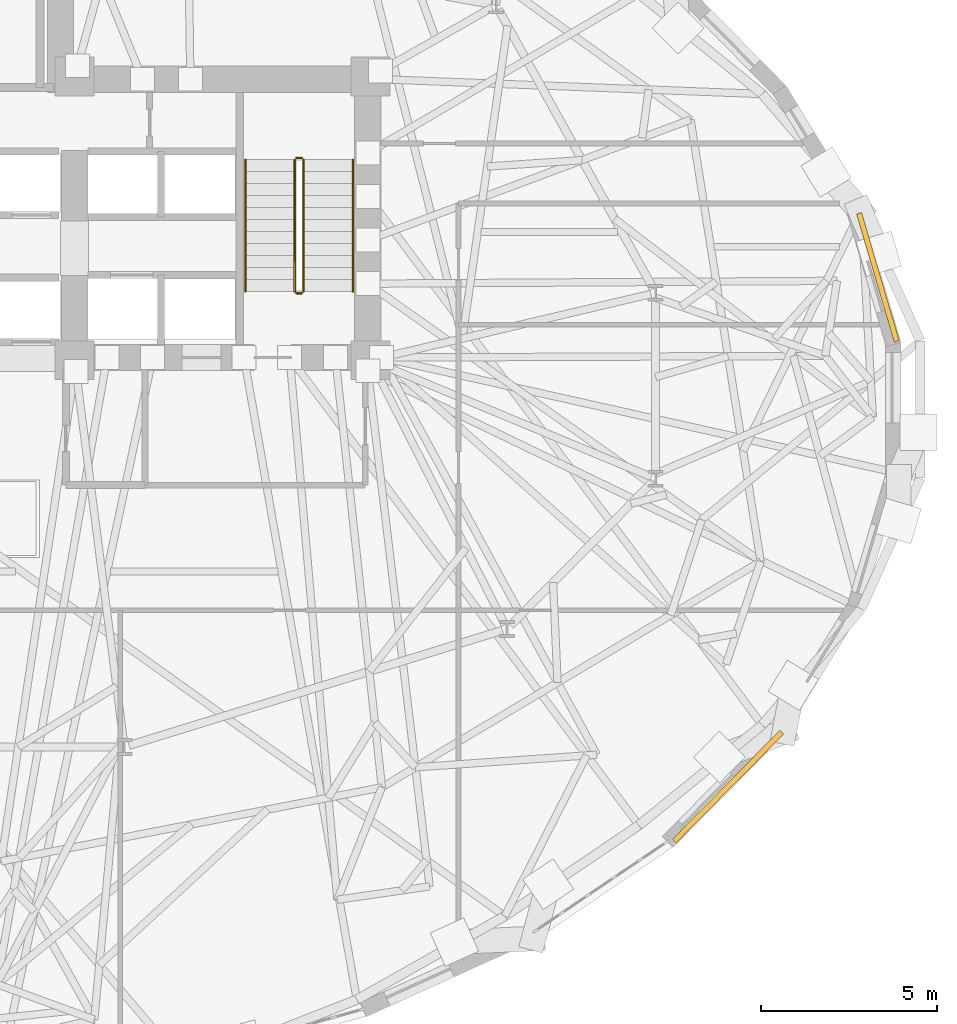
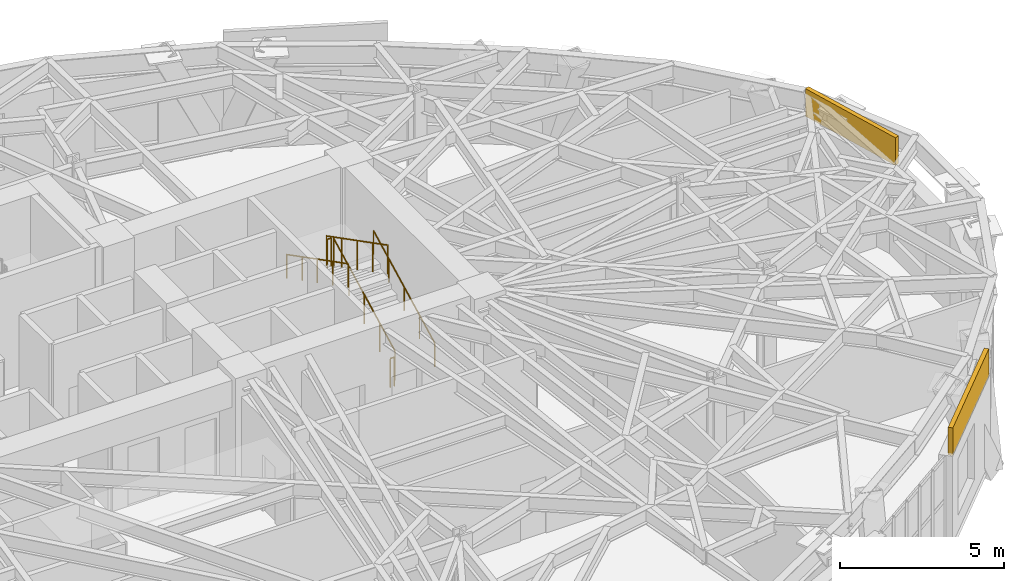
# One storey, part 19 of 20: 6 railings, 2 coverings.
"""IFC4 building model written with IfcOpenShell, lengths in metres."""

from ifc_helpers import new_model, si_unit, direction, frame, origin, origin_2d, place, context, subcontext, project, spatial, rectangle, circle, extrude, material, layer, layer_set, type_object, element, save


model = new_model("IFC4")

# Units and contexts
model_context = context("Model", 3, precision=1e-05, world=origin(), true_north=direction((0.0, 1.0)))
body_context = subcontext(model_context, "Body", "Model", "MODEL_VIEW")
ifc_project = project(units=[si_unit("LENGTHUNIT", "METRE"), si_unit("AREAUNIT", "SQUARE_METRE"), si_unit("VOLUMEUNIT", "CUBIC_METRE"), si_unit("PLANEANGLEUNIT", "RADIAN"), si_unit("MASSUNIT", "GRAM", prefix="KILO")], contexts=[model_context])

# Site, building, storey
site_placement = place(None, origin())
site = spatial("IfcSite", under=ifc_project, at=site_placement, CompositionType="ELEMENT")
building_placement = place(site_placement, origin())
building = spatial("IfcBuilding", under=site, at=building_placement, Name="Keldmark Tower", CompositionType="ELEMENT")
storey_placement = place(building_placement, frame((0.0, 0.0, 81.89990234375)))
storey = spatial("IfcBuildingStorey", under=building, at=storey_placement, Name="L21", CompositionType="ELEMENT", Elevation=81.89990234375)

# Coverings
ifc_material_1 = material(Name="Honed Kasota Buff Dolomitic Limestone", Category="masonry")
ifc_layer = layer(ifc_material_1, 0.074951171875)
ifc_layer_set = layer_set([ifc_layer], Name="Honed Kasota Buff Dolomitic Limestone")
covering_type = type_object("IfcCoveringType", Name="Kasota Buff Limestone Spandrel Cladding Band", PredefinedType="CLADDING", material=ifc_layer_set)
covering_1_placement = place(storey_placement, frame((28.0048828125, 3.7548828125, 3.15185546875), z_axis=(0.0, 0.0, 1.0), x_axis=(-0.281855868263, 0.959456757507, 0.0)))
element("IfcCovering", 1, at=covering_1_placement, inside=storey, type_object=covering_type, Name="L21 Kasota Limestone Spandrel Band 01", PredefinedType="CLADDING", context=body_context, shape_type="SweptSolid", body=[
    extrude(rectangle(XDim=3.78759765625, YDim=0.14990234375, at=origin_2d()), origin(), (0.0, 0.0, 1.0), 1.028076171875),
])
covering_2_placement = place(storey_placement, frame((23.752685546875, -10.704345703125, 3.15185546875), z_axis=(0.0, 0.0, 1.0), x_axis=(0.70240155419, 0.711780904964, 0.0)))
element("IfcCovering", 2, at=covering_2_placement, inside=storey, type_object=covering_type, Name="L21 Kasota Limestone Spandrel Band 29", PredefinedType="CLADDING", context=body_context, shape_type="SweptSolid", body=[
    extrude(rectangle(XDim=4.345458984375, YDim=0.14990234375, at=origin_2d()), origin(), (0.0, 0.0, 1.0), 1.028076171875),
])

# Railings
ifc_material_2 = material(Name="Painted Steel ASTM A500 Grade B", Category="steel")
railing_type_1 = type_object("IfcRailingType", Name="Painted Steel Stair Well Guard 1100 mm", PredefinedType="GUARDRAIL", material=ifc_material_2)
railing_1_placement = place(storey_placement, frame((11.699951171875, 3.35009765625, 0.175048828125)))
element("IfcRailing", 3, at=railing_1_placement, inside=storey, type_object=railing_type_1, Name="L21 ST2 stair guard 1", PredefinedType="GUARDRAIL", context=body_context, shape_type="SweptSolid", body=[
    extrude(circle(Radius=0.02392578125, at=origin_2d()), frame((0.0, 0.0, 1.076171875), z_axis=(0.0, 0.889130600629, 0.457653553493), x_axis=(-1.0, 0.0, 0.0)), (0.0, 0.0, 1.0), 4.206298828125),
    extrude(circle(Radius=0.02099609375, at=origin_2d()), origin(), (0.0, 0.0, 1.0), 1.052001953125),
    extrude(circle(Radius=0.02099609375, at=origin_2d()), frame((0.0, 0.93505859375, 0.481201171875)), (0.0, 0.0, 1.0), 1.052001953125),
    extrude(circle(Radius=0.02099609375, at=origin_2d()), frame((0.0, 1.8701171875, 0.96240234375)), (0.0, 0.0, 1.0), 1.052001953125),
    extrude(circle(Radius=0.02099609375, at=origin_2d()), frame((0.0, 2.804931640625, 1.44384765625)), (0.0, 0.0, 1.0), 1.052001953125),
    extrude(circle(Radius=0.02099609375, at=origin_2d()), frame((0.0, 3.739990234375, 1.925048828125)), (0.0, 0.0, 1.0), 1.052001953125),
])
railing_2_placement = place(storey_placement, frame((11.64990234375, 7.139892578125, 2.10009765625)))
element("IfcRailing", 4, at=railing_2_placement, inside=storey, type_object=railing_type_1, Name="L21 ST2 stair guard 2", PredefinedType="GUARDRAIL", context=body_context, shape_type="SweptSolid", body=[
    extrude(circle(Radius=0.02392578125, at=origin_2d()), frame((0.0, 0.0, 1.076171875), z_axis=(-1.0, 0.0, 0.0), x_axis=(0.0, -1.0, 0.0)), (0.0, 0.0, 1.0), 0.14990234375),
    extrude(circle(Radius=0.02099609375, at=origin_2d()), origin(), (0.0, 0.0, 1.0), 1.052001953125),
    extrude(circle(Radius=0.02099609375, at=origin_2d()), frame((-0.14990234375, 0.0, 0.0)), (0.0, 0.0, 1.0), 1.052001953125),
])
railing_3_placement = place(storey_placement, frame((11.449951171875, 7.090087890625, 2.275146484375)))
element("IfcRailing", 5, at=railing_3_placement, inside=storey, type_object=railing_type_1, Name="L21 ST2 stair guard 3", PredefinedType="GUARDRAIL", context=body_context, shape_type="SweptSolid", body=[
    extrude(circle(Radius=0.02392578125, at=origin_2d()), frame((0.0, 0.0, 1.076171875), z_axis=(0.0, -0.889130600629, 0.457653553493), x_axis=(1.0, 0.0, 0.0)), (0.0, 0.0, 1.0), 4.206298828125),
    extrude(circle(Radius=0.02099609375, at=origin_2d()), origin(), (0.0, 0.0, 1.0), 1.052001953125),
    extrude(circle(Radius=0.02099609375, at=origin_2d()), frame((0.0, -0.93505859375, 0.481201171875)), (0.0, 0.0, 1.0), 1.052001953125),
    extrude(circle(Radius=0.02099609375, at=origin_2d()), frame((0.0, -1.8701171875, 0.96240234375)), (0.0, 0.0, 1.0), 1.052001953125),
    extrude(circle(Radius=0.02099609375, at=origin_2d()), frame((0.0, -2.804931640625, 1.44384765625)), (0.0, 0.0, 1.0), 1.052001953125),
    extrude(circle(Radius=0.02099609375, at=origin_2d()), frame((0.0, -3.739990234375, 1.925048828125)), (0.0, 0.0, 1.0), 1.052001953125),
])
railing_4_placement = place(storey_placement, frame((11.64990234375, 3.300048828125, 0.0)))
element("IfcRailing", 6, at=railing_4_placement, inside=storey, type_object=railing_type_1, Name="L21 ST2 stair guard 4", PredefinedType="GUARDRAIL", context=body_context, shape_type="SweptSolid", body=[
    extrude(circle(Radius=0.02392578125, at=origin_2d()), frame((0.0, 0.0, 1.076171875), z_axis=(-1.0, 0.0, 0.0), x_axis=(0.0, -1.0, 0.0)), (0.0, 0.0, 1.0), 0.14990234375),
    extrude(circle(Radius=0.02099609375, at=origin_2d()), origin(), (0.0, 0.0, 1.0), 1.052001953125),
    extrude(circle(Radius=0.02099609375, at=origin_2d()), frame((-0.14990234375, 0.0, 0.0)), (0.0, 0.0, 1.0), 1.052001953125),
])
ifc_material_3 = material(Name="Stainless Steel AISI 316L", Category="steel")
railing_type_2 = type_object("IfcRailingType", Name="Stainless Steel Stair Handrail 900 mm", PredefinedType="HANDRAIL", material=ifc_material_3)
railing_5_placement = place(storey_placement, frame((13.10009765625, 3.35009765625, 0.175048828125)))
element("IfcRailing", 7, at=railing_5_placement, inside=storey, type_object=railing_type_2, Name="L21 ST2 stair handrail 1", PredefinedType="HANDRAIL", context=body_context, shape_type="SweptSolid", body=[
    extrude(circle(Radius=0.02392578125, at=origin_2d()), frame((0.0, 0.0, 0.8759765625), z_axis=(0.0, 0.889130600629, 0.457653553493), x_axis=(-1.0, 0.0, 0.0)), (0.0, 0.0, 1.0), 4.206298828125),
    extrude(circle(Radius=0.02099609375, at=origin_2d()), origin(), (0.0, 0.0, 1.0), 0.851806640625),
    extrude(circle(Radius=0.02099609375, at=origin_2d()), frame((0.0, 0.93505859375, 0.481201171875)), (0.0, 0.0, 1.0), 0.851806640625),
    extrude(circle(Radius=0.02099609375, at=origin_2d()), frame((0.0, 1.8701171875, 0.96240234375)), (0.0, 0.0, 1.0), 0.851806640625),
    extrude(circle(Radius=0.02099609375, at=origin_2d()), frame((0.0, 2.804931640625, 1.44384765625)), (0.0, 0.0, 1.0), 0.851806640625),
    extrude(circle(Radius=0.02099609375, at=origin_2d()), frame((0.0, 3.739990234375, 1.925048828125)), (0.0, 0.0, 1.0), 0.851806640625),
])
railing_6_placement = place(storey_placement, frame((10.050048828125, 7.090087890625, 2.275146484375)))
element("IfcRailing", 8, at=railing_6_placement, inside=storey, type_object=railing_type_2, Name="L21 ST2 stair handrail 2", PredefinedType="HANDRAIL", context=body_context, shape_type="SweptSolid", body=[
    extrude(circle(Radius=0.02392578125, at=origin_2d()), frame((0.0, 0.0, 0.8759765625), z_axis=(0.0, -0.889130600629, 0.457653553493), x_axis=(1.0, 0.0, 0.0)), (0.0, 0.0, 1.0), 4.206298828125),
    extrude(circle(Radius=0.02099609375, at=origin_2d()), origin(), (0.0, 0.0, 1.0), 0.851806640625),
    extrude(circle(Radius=0.02099609375, at=origin_2d()), frame((0.0, -0.93505859375, 0.481201171875)), (0.0, 0.0, 1.0), 0.851806640625),
    extrude(circle(Radius=0.02099609375, at=origin_2d()), frame((0.0, -1.8701171875, 0.96240234375)), (0.0, 0.0, 1.0), 0.851806640625),
    extrude(circle(Radius=0.02099609375, at=origin_2d()), frame((0.0, -2.804931640625, 1.44384765625)), (0.0, 0.0, 1.0), 0.851806640625),
    extrude(circle(Radius=0.02099609375, at=origin_2d()), frame((0.0, -3.739990234375, 1.925048828125)), (0.0, 0.0, 1.0), 0.851806640625),
])

save(model, "model.ifc")
